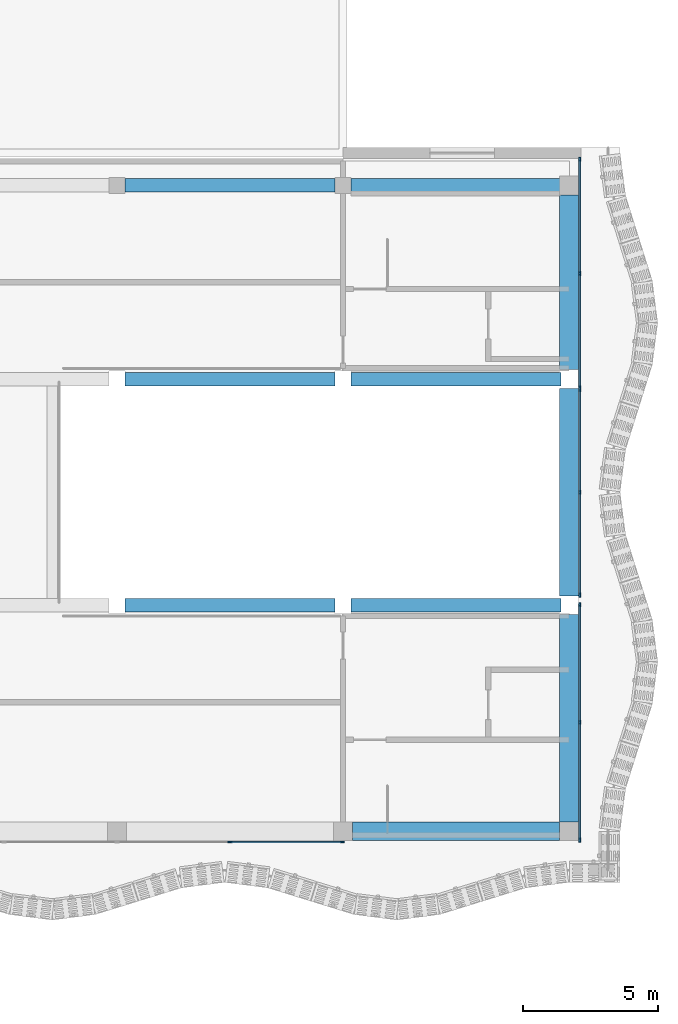
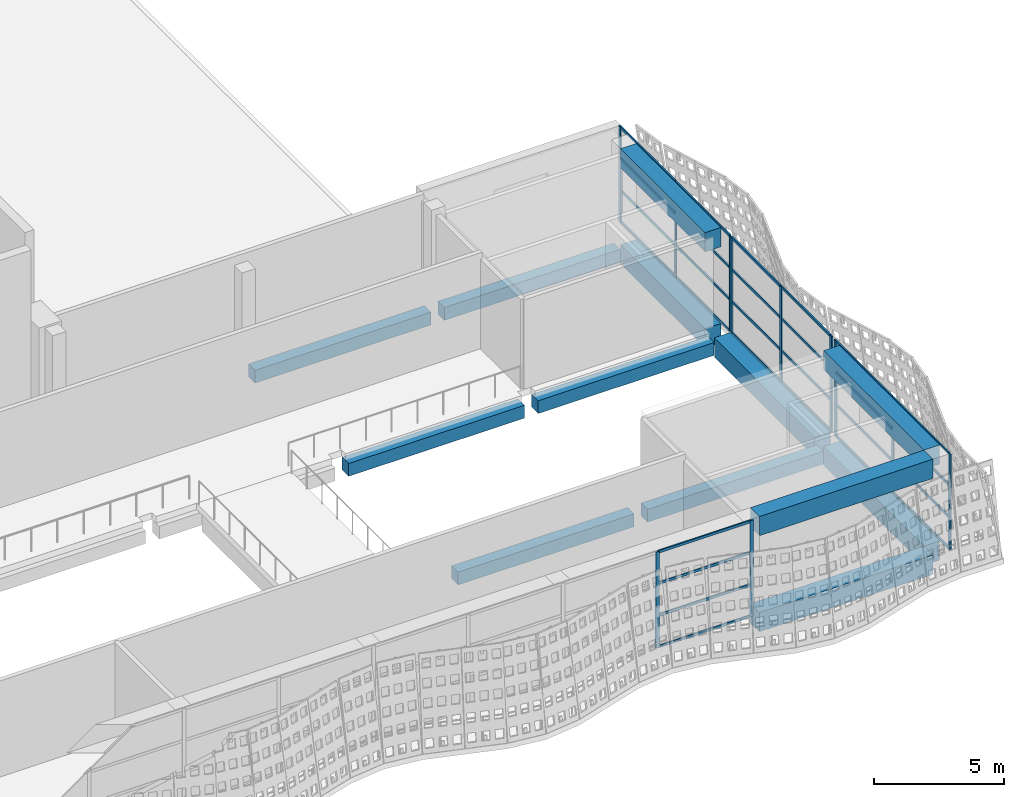
# One storey, part 57 of 162: 39 members, 13 beams, 4 elements without a shape of their own.
"""IFC4 building model written with IfcOpenShell, lengths in metres."""

from ifc_helpers import new_model, si_unit, direction, frame, origin, origin_2d, place, context, subcontext, project, spatial, rectangle, extrude, material, layer, layer_set, material_profile, profile_set, type_object, element, aggregate, save


model = new_model("IFC4")

# Units and contexts
model_context = context("Model", 3, precision=1e-05, world=origin(), true_north=direction((0.0, 1.0)))
body_context = subcontext(model_context, "Body", "Model", "MODEL_VIEW")
ifc_project = project(units=[si_unit("LENGTHUNIT", "METRE"), si_unit("AREAUNIT", "SQUARE_METRE"), si_unit("VOLUMEUNIT", "CUBIC_METRE"), si_unit("PLANEANGLEUNIT", "RADIAN"), si_unit("MASSUNIT", "GRAM", prefix="KILO")], contexts=[model_context])

# Site, building, storey
site_placement = place(None, origin())
site = spatial("IfcSite", under=ifc_project, at=site_placement, CompositionType="ELEMENT")
building_placement = place(site_placement, origin())
building = spatial("IfcBuilding", under=site, at=building_placement, Name="Rain Tree Exposition and Congress Centre", CompositionType="ELEMENT")
storey_placement = place(building_placement, frame((0.0, 0.0, 6.0)))
storey = spatial("IfcBuildingStorey", under=building, at=storey_placement, Name="L01", CompositionType="ELEMENT", Elevation=6.0)

# Curtain wall, members
ifc_material_1 = material(Name="Aluminium curtain wall system", Category="aluminium")
ifc_layer = layer(ifc_material_1, 0.10009765625)
ifc_layer_set = layer_set([ifc_layer], Name="Aluminium curtain wall system")
curtain_wall_type = type_object("IfcCurtainWallType", Name="Concourse curtain wall 4200 module", PredefinedType="NOTDEFINED", material=ifc_layer_set)
curtain_wall_1_placement = place(storey_placement, origin())
curtain_wall_1 = element("IfcCurtainWall", 1, at=curtain_wall_1_placement, inside=storey, type_object=curtain_wall_type, Name="Concourse curtain wall CWC28", PredefinedType="NOTDEFINED")
ifc_material_2 = material(Name="Aluminium mullion", Category="aluminium")
ifc_material_profile_1 = material_profile(ifc_material_2, rectangle(XDim=0.06005859375, YDim=0.159912109375, at=origin_2d()), Name="AL 60x160")
ifc_profile_set_1 = profile_set([ifc_material_profile_1], Name="Aluminium mullion")
member_type_1 = type_object("IfcMemberType", Name="Concourse curtain wall mullion 60x160", PredefinedType="MULLION", material=ifc_profile_set_1)
member_1_placement = place(storey_placement, frame((256.199951171875, 75.199951171875, 0.0), z_axis=(0.0, 0.0, 1.0), x_axis=(0.0, 1.0, 0.0)))
member_1 = element("IfcMember", 2, at=member_1_placement, type_object=member_type_1, Name="CWC28 mullion 10", PredefinedType="MULLION", context=body_context, shape_type="SweptSolid", body=[
    extrude(rectangle(XDim=0.06005859375, YDim=0.159912109375, at=origin_2d()), origin(), (0.0, 0.0, 1.0), 4.5),
])
member_2_placement = place(storey_placement, frame((260.3701171875, 75.199951171875, 0.0), z_axis=(0.0, 0.0, 1.0), x_axis=(0.0, 1.0, 0.0)))
member_2 = element("IfcMember", 3, at=member_2_placement, type_object=member_type_1, Name="CWC28 mullion 11", PredefinedType="MULLION", context=body_context, shape_type="SweptSolid", body=[
    extrude(rectangle(XDim=0.06005859375, YDim=0.159912109375, at=origin_2d()), origin(), (0.0, 0.0, 1.0), 4.5),
])

curtain_wall_2_placement = place(storey_placement, origin())
curtain_wall_2 = element("IfcCurtainWall", 4, at=curtain_wall_2_placement, inside=storey, type_object=curtain_wall_type, Name="Concourse curtain wall CWC38", PredefinedType="NOTDEFINED")
member_3_placement = place(storey_placement, frame((269.199951171875, 75.280029296875, 0.0), z_axis=(0.0, 0.0, 1.0), x_axis=(-1.0, 0.0, 0.0)))
member_3 = element("IfcMember", 5, at=member_3_placement, type_object=member_type_1, Name="CWC38 mullion 1", PredefinedType="MULLION", context=body_context, shape_type="SweptSolid", body=[
    extrude(rectangle(XDim=0.06005859375, YDim=0.159912109375, at=origin_2d()), origin(), (0.0, 0.0, 1.0), 4.5),
])
member_4_placement = place(storey_placement, frame((269.199951171875, 79.64990234375, 0.0), z_axis=(0.0, 0.0, 1.0), x_axis=(-1.0, 0.0, 0.0)))
member_4 = element("IfcMember", 6, at=member_4_placement, type_object=member_type_1, Name="CWC38 mullion 2", PredefinedType="MULLION", context=body_context, shape_type="SweptSolid", body=[
    extrude(rectangle(XDim=0.06005859375, YDim=0.159912109375, at=origin_2d()), origin(), (0.0, 0.0, 1.0), 4.5),
])
member_5_placement = place(storey_placement, frame((269.199951171875, 84.02001953125, 0.0), z_axis=(0.0, 0.0, 1.0), x_axis=(-1.0, 0.0, 0.0)))
member_5 = element("IfcMember", 7, at=member_5_placement, type_object=member_type_1, Name="CWC38 mullion 3", PredefinedType="MULLION", context=body_context, shape_type="SweptSolid", body=[
    extrude(rectangle(XDim=0.06005859375, YDim=0.159912109375, at=origin_2d()), origin(), (0.0, 0.0, 1.0), 4.5),
])

curtain_wall_3_placement = place(storey_placement, origin())
curtain_wall_3 = element("IfcCurtainWall", 8, at=curtain_wall_3_placement, inside=storey, type_object=curtain_wall_type, Name="Concourse curtain wall CWC39", PredefinedType="NOTDEFINED")
member_6_placement = place(storey_placement, frame((269.199951171875, 84.3798828125, 0.0), z_axis=(0.0, 0.0, 1.0), x_axis=(-1.0, 0.0, 0.0)))
member_6 = element("IfcMember", 9, at=member_6_placement, type_object=member_type_1, Name="CWC39 mullion 1", PredefinedType="MULLION", context=body_context, shape_type="SweptSolid", body=[
    extrude(rectangle(XDim=0.06005859375, YDim=0.159912109375, at=origin_2d()), origin(), (0.0, 0.0, 1.0), 4.5),
])
member_7_placement = place(storey_placement, frame((269.199951171875, 88.199951171875, 0.0), z_axis=(0.0, 0.0, 1.0), x_axis=(-1.0, 0.0, 0.0)))
member_7 = element("IfcMember", 10, at=member_7_placement, type_object=member_type_1, Name="CWC39 mullion 2", PredefinedType="MULLION", context=body_context, shape_type="SweptSolid", body=[
    extrude(rectangle(XDim=0.06005859375, YDim=0.159912109375, at=origin_2d()), origin(), (0.0, 0.0, 1.0), 4.5),
])
member_8_placement = place(storey_placement, frame((269.199951171875, 92.02001953125, 0.0), z_axis=(0.0, 0.0, 1.0), x_axis=(-1.0, 0.0, 0.0)))
member_8 = element("IfcMember", 11, at=member_8_placement, type_object=member_type_1, Name="CWC39 mullion 3", PredefinedType="MULLION", context=body_context, shape_type="SweptSolid", body=[
    extrude(rectangle(XDim=0.06005859375, YDim=0.159912109375, at=origin_2d()), origin(), (0.0, 0.0, 1.0), 4.5),
])

curtain_wall_4_placement = place(storey_placement, origin())
curtain_wall_4 = element("IfcCurtainWall", 12, at=curtain_wall_4_placement, inside=storey, type_object=curtain_wall_type, Name="Concourse curtain wall CWC40", PredefinedType="NOTDEFINED")
member_9_placement = place(storey_placement, frame((269.199951171875, 92.080078125, 0.0), z_axis=(0.0, 0.0, 1.0), x_axis=(-1.0, 0.0, 0.0)))
member_9 = element("IfcMember", 13, at=member_9_placement, type_object=member_type_1, Name="CWC40 mullion 1", PredefinedType="MULLION", context=body_context, shape_type="SweptSolid", body=[
    extrude(rectangle(XDim=0.06005859375, YDim=0.159912109375, at=origin_2d()), origin(), (0.0, 0.0, 1.0), 4.5),
])
member_10_placement = place(storey_placement, frame((269.199951171875, 96.324951171875, 0.0), z_axis=(0.0, 0.0, 1.0), x_axis=(-1.0, 0.0, 0.0)))
member_10 = element("IfcMember", 14, at=member_10_placement, type_object=member_type_1, Name="CWC40 mullion 2", PredefinedType="MULLION", context=body_context, shape_type="SweptSolid", body=[
    extrude(rectangle(XDim=0.06005859375, YDim=0.159912109375, at=origin_2d()), origin(), (0.0, 0.0, 1.0), 4.5),
])
member_11_placement = place(storey_placement, frame((269.199951171875, 100.570068359375, 0.0), z_axis=(0.0, 0.0, 1.0), x_axis=(-1.0, 0.0, 0.0)))
member_11 = element("IfcMember", 15, at=member_11_placement, type_object=member_type_1, Name="CWC40 mullion 3", PredefinedType="MULLION", context=body_context, shape_type="SweptSolid", body=[
    extrude(rectangle(XDim=0.06005859375, YDim=0.159912109375, at=origin_2d()), origin(), (0.0, 0.0, 1.0), 4.5),
])

# Member
ifc_material_3 = material(Name="Aluminium transom", Category="aluminium")
ifc_material_profile_2 = material_profile(ifc_material_3, rectangle(XDim=0.06005859375, YDim=0.1201171875, at=origin_2d()), Name="AL 60x120")
ifc_profile_set_2 = profile_set([ifc_material_profile_2], Name="Aluminium transom")
member_type_2 = type_object("IfcMemberType", Name="Concourse curtain wall transom 60x120", PredefinedType="USERDEFINED", material=ifc_profile_set_2)
member_12_placement = place(storey_placement, frame((256.22998046875, 75.199951171875, 0.030029296875), z_axis=(1.0, 0.0, 0.0), x_axis=(0.0, 1.0, 0.0)))
member_12 = element("IfcMember", 16, at=member_12_placement, type_object=member_type_2, Name="CWC28 transom 10.1", ObjectType="TRANSOM", PredefinedType="USERDEFINED", context=body_context, shape_type="SweptSolid", body=[
    extrude(rectangle(XDim=0.06005859375, YDim=0.1201171875, at=origin_2d()), origin(), (0.0, 0.0, 1.0), 4.110107421875),
])

member_13_placement = place(storey_placement, frame((256.22998046875, 75.199951171875, 1.5), z_axis=(1.0, 0.0, 0.0), x_axis=(0.0, 1.0, 0.0)))
member_13 = element("IfcMember", 17, at=member_13_placement, type_object=member_type_2, Name="CWC28 transom 10.2", ObjectType="TRANSOM", PredefinedType="USERDEFINED", context=body_context, shape_type="SweptSolid", body=[
    extrude(rectangle(XDim=0.06005859375, YDim=0.1201171875, at=origin_2d()), origin(), (0.0, 0.0, 1.0), 4.110107421875),
])

member_14_placement = place(storey_placement, frame((256.22998046875, 75.199951171875, 3.0), z_axis=(1.0, 0.0, 0.0), x_axis=(0.0, 1.0, 0.0)))
member_14 = element("IfcMember", 18, at=member_14_placement, type_object=member_type_2, Name="CWC28 transom 10.3", ObjectType="TRANSOM", PredefinedType="USERDEFINED", context=body_context, shape_type="SweptSolid", body=[
    extrude(rectangle(XDim=0.06005859375, YDim=0.1201171875, at=origin_2d()), origin(), (0.0, 0.0, 1.0), 4.110107421875),
])

member_15_placement = place(storey_placement, frame((256.22998046875, 75.199951171875, 4.469970703125), z_axis=(1.0, 0.0, 0.0), x_axis=(0.0, 1.0, 0.0)))
member_15 = element("IfcMember", 19, at=member_15_placement, type_object=member_type_2, Name="CWC28 transom 10.4", ObjectType="TRANSOM", PredefinedType="USERDEFINED", context=body_context, shape_type="SweptSolid", body=[
    extrude(rectangle(XDim=0.06005859375, YDim=0.1201171875, at=origin_2d()), origin(), (0.0, 0.0, 1.0), 4.110107421875),
])

aggregate(curtain_wall_1, [member_1, member_2, member_12, member_13, member_14, member_15])

member_16_placement = place(storey_placement, frame((269.199951171875, 75.31005859375, 0.030029296875), z_axis=(0.0, 1.0, 0.0), x_axis=(-1.0, 0.0, 0.0)))
member_16 = element("IfcMember", 20, at=member_16_placement, type_object=member_type_2, Name="CWC38 transom 1.1", ObjectType="TRANSOM", PredefinedType="USERDEFINED", context=body_context, shape_type="SweptSolid", body=[
    extrude(rectangle(XDim=0.06005859375, YDim=0.1201171875, at=origin_2d()), origin(), (0.0, 0.0, 1.0), 4.31005859375),
])

member_17_placement = place(storey_placement, frame((269.199951171875, 75.31005859375, 1.5), z_axis=(0.0, 1.0, 0.0), x_axis=(-1.0, 0.0, 0.0)))
member_17 = element("IfcMember", 21, at=member_17_placement, type_object=member_type_2, Name="CWC38 transom 1.2", ObjectType="TRANSOM", PredefinedType="USERDEFINED", context=body_context, shape_type="SweptSolid", body=[
    extrude(rectangle(XDim=0.06005859375, YDim=0.1201171875, at=origin_2d()), origin(), (0.0, 0.0, 1.0), 4.31005859375),
])

member_18_placement = place(storey_placement, frame((269.199951171875, 75.31005859375, 3.0), z_axis=(0.0, 1.0, 0.0), x_axis=(-1.0, 0.0, 0.0)))
member_18 = element("IfcMember", 22, at=member_18_placement, type_object=member_type_2, Name="CWC38 transom 1.3", ObjectType="TRANSOM", PredefinedType="USERDEFINED", context=body_context, shape_type="SweptSolid", body=[
    extrude(rectangle(XDim=0.06005859375, YDim=0.1201171875, at=origin_2d()), origin(), (0.0, 0.0, 1.0), 4.31005859375),
])

member_19_placement = place(storey_placement, frame((269.199951171875, 75.31005859375, 4.469970703125), z_axis=(0.0, 1.0, 0.0), x_axis=(-1.0, 0.0, 0.0)))
member_19 = element("IfcMember", 23, at=member_19_placement, type_object=member_type_2, Name="CWC38 transom 1.4", ObjectType="TRANSOM", PredefinedType="USERDEFINED", context=body_context, shape_type="SweptSolid", body=[
    extrude(rectangle(XDim=0.06005859375, YDim=0.1201171875, at=origin_2d()), origin(), (0.0, 0.0, 1.0), 4.31005859375),
])

member_20_placement = place(storey_placement, frame((269.199951171875, 79.679931640625, 0.030029296875), z_axis=(0.0, 1.0, 0.0), x_axis=(-1.0, 0.0, 0.0)))
member_20 = element("IfcMember", 24, at=member_20_placement, type_object=member_type_2, Name="CWC38 transom 2.1", ObjectType="TRANSOM", PredefinedType="USERDEFINED", context=body_context, shape_type="SweptSolid", body=[
    extrude(rectangle(XDim=0.06005859375, YDim=0.1201171875, at=origin_2d()), origin(), (0.0, 0.0, 1.0), 4.31005859375),
])

member_21_placement = place(storey_placement, frame((269.199951171875, 79.679931640625, 1.5), z_axis=(0.0, 1.0, 0.0), x_axis=(-1.0, 0.0, 0.0)))
member_21 = element("IfcMember", 25, at=member_21_placement, type_object=member_type_2, Name="CWC38 transom 2.2", ObjectType="TRANSOM", PredefinedType="USERDEFINED", context=body_context, shape_type="SweptSolid", body=[
    extrude(rectangle(XDim=0.06005859375, YDim=0.1201171875, at=origin_2d()), origin(), (0.0, 0.0, 1.0), 4.31005859375),
])

member_22_placement = place(storey_placement, frame((269.199951171875, 79.679931640625, 3.0), z_axis=(0.0, 1.0, 0.0), x_axis=(-1.0, 0.0, 0.0)))
member_22 = element("IfcMember", 26, at=member_22_placement, type_object=member_type_2, Name="CWC38 transom 2.3", ObjectType="TRANSOM", PredefinedType="USERDEFINED", context=body_context, shape_type="SweptSolid", body=[
    extrude(rectangle(XDim=0.06005859375, YDim=0.1201171875, at=origin_2d()), origin(), (0.0, 0.0, 1.0), 4.31005859375),
])

member_23_placement = place(storey_placement, frame((269.199951171875, 79.679931640625, 4.469970703125), z_axis=(0.0, 1.0, 0.0), x_axis=(-1.0, 0.0, 0.0)))
member_23 = element("IfcMember", 27, at=member_23_placement, type_object=member_type_2, Name="CWC38 transom 2.4", ObjectType="TRANSOM", PredefinedType="USERDEFINED", context=body_context, shape_type="SweptSolid", body=[
    extrude(rectangle(XDim=0.06005859375, YDim=0.1201171875, at=origin_2d()), origin(), (0.0, 0.0, 1.0), 4.31005859375),
])

aggregate(curtain_wall_2, [member_3, member_4, member_5, member_16, member_17, member_18, member_19, member_20, member_21, member_22, member_23])

member_24_placement = place(storey_placement, frame((269.199951171875, 84.409912109375, 0.030029296875), z_axis=(0.0, 1.0, 0.0), x_axis=(-1.0, 0.0, 0.0)))
member_24 = element("IfcMember", 28, at=member_24_placement, type_object=member_type_2, Name="CWC39 transom 1.1", ObjectType="TRANSOM", PredefinedType="USERDEFINED", context=body_context, shape_type="SweptSolid", body=[
    extrude(rectangle(XDim=0.06005859375, YDim=0.1201171875, at=origin_2d()), origin(), (0.0, 0.0, 1.0), 3.760009765625),
])

member_25_placement = place(storey_placement, frame((269.199951171875, 84.409912109375, 1.5), z_axis=(0.0, 1.0, 0.0), x_axis=(-1.0, 0.0, 0.0)))
member_25 = element("IfcMember", 29, at=member_25_placement, type_object=member_type_2, Name="CWC39 transom 1.2", ObjectType="TRANSOM", PredefinedType="USERDEFINED", context=body_context, shape_type="SweptSolid", body=[
    extrude(rectangle(XDim=0.06005859375, YDim=0.1201171875, at=origin_2d()), origin(), (0.0, 0.0, 1.0), 3.760009765625),
])

member_26_placement = place(storey_placement, frame((269.199951171875, 84.409912109375, 3.0), z_axis=(0.0, 1.0, 0.0), x_axis=(-1.0, 0.0, 0.0)))
member_26 = element("IfcMember", 30, at=member_26_placement, type_object=member_type_2, Name="CWC39 transom 1.3", ObjectType="TRANSOM", PredefinedType="USERDEFINED", context=body_context, shape_type="SweptSolid", body=[
    extrude(rectangle(XDim=0.06005859375, YDim=0.1201171875, at=origin_2d()), origin(), (0.0, 0.0, 1.0), 3.760009765625),
])

member_27_placement = place(storey_placement, frame((269.199951171875, 84.409912109375, 4.469970703125), z_axis=(0.0, 1.0, 0.0), x_axis=(-1.0, 0.0, 0.0)))
member_27 = element("IfcMember", 31, at=member_27_placement, type_object=member_type_2, Name="CWC39 transom 1.4", ObjectType="TRANSOM", PredefinedType="USERDEFINED", context=body_context, shape_type="SweptSolid", body=[
    extrude(rectangle(XDim=0.06005859375, YDim=0.1201171875, at=origin_2d()), origin(), (0.0, 0.0, 1.0), 3.760009765625),
])

member_28_placement = place(storey_placement, frame((269.199951171875, 88.22998046875, 0.030029296875), z_axis=(0.0, 1.0, 0.0), x_axis=(-1.0, 0.0, 0.0)))
member_28 = element("IfcMember", 32, at=member_28_placement, type_object=member_type_2, Name="CWC39 transom 2.1", ObjectType="TRANSOM", PredefinedType="USERDEFINED", context=body_context, shape_type="SweptSolid", body=[
    extrude(rectangle(XDim=0.06005859375, YDim=0.1201171875, at=origin_2d()), origin(), (0.0, 0.0, 1.0), 3.760009765625),
])

member_29_placement = place(storey_placement, frame((269.199951171875, 88.22998046875, 1.5), z_axis=(0.0, 1.0, 0.0), x_axis=(-1.0, 0.0, 0.0)))
member_29 = element("IfcMember", 33, at=member_29_placement, type_object=member_type_2, Name="CWC39 transom 2.2", ObjectType="TRANSOM", PredefinedType="USERDEFINED", context=body_context, shape_type="SweptSolid", body=[
    extrude(rectangle(XDim=0.06005859375, YDim=0.1201171875, at=origin_2d()), origin(), (0.0, 0.0, 1.0), 3.760009765625),
])

member_30_placement = place(storey_placement, frame((269.199951171875, 88.22998046875, 3.0), z_axis=(0.0, 1.0, 0.0), x_axis=(-1.0, 0.0, 0.0)))
member_30 = element("IfcMember", 34, at=member_30_placement, type_object=member_type_2, Name="CWC39 transom 2.3", ObjectType="TRANSOM", PredefinedType="USERDEFINED", context=body_context, shape_type="SweptSolid", body=[
    extrude(rectangle(XDim=0.06005859375, YDim=0.1201171875, at=origin_2d()), origin(), (0.0, 0.0, 1.0), 3.760009765625),
])

member_31_placement = place(storey_placement, frame((269.199951171875, 88.22998046875, 4.469970703125), z_axis=(0.0, 1.0, 0.0), x_axis=(-1.0, 0.0, 0.0)))
member_31 = element("IfcMember", 35, at=member_31_placement, type_object=member_type_2, Name="CWC39 transom 2.4", ObjectType="TRANSOM", PredefinedType="USERDEFINED", context=body_context, shape_type="SweptSolid", body=[
    extrude(rectangle(XDim=0.06005859375, YDim=0.1201171875, at=origin_2d()), origin(), (0.0, 0.0, 1.0), 3.760009765625),
])

aggregate(curtain_wall_3, [member_6, member_7, member_8, member_24, member_25, member_26, member_27, member_28, member_29, member_30, member_31])

member_32_placement = place(storey_placement, frame((269.199951171875, 92.110107421875, 0.030029296875), z_axis=(0.0, 1.0, 0.0), x_axis=(-1.0, 0.0, 0.0)))
member_32 = element("IfcMember", 36, at=member_32_placement, type_object=member_type_2, Name="CWC40 transom 1.1", ObjectType="TRANSOM", PredefinedType="USERDEFINED", context=body_context, shape_type="SweptSolid", body=[
    extrude(rectangle(XDim=0.06005859375, YDim=0.1201171875, at=origin_2d()), origin(), (0.0, 0.0, 1.0), 4.184814453125),
])

member_33_placement = place(storey_placement, frame((269.199951171875, 92.110107421875, 1.5), z_axis=(0.0, 1.0, 0.0), x_axis=(-1.0, 0.0, 0.0)))
member_33 = element("IfcMember", 37, at=member_33_placement, type_object=member_type_2, Name="CWC40 transom 1.2", ObjectType="TRANSOM", PredefinedType="USERDEFINED", context=body_context, shape_type="SweptSolid", body=[
    extrude(rectangle(XDim=0.06005859375, YDim=0.1201171875, at=origin_2d()), origin(), (0.0, 0.0, 1.0), 4.184814453125),
])

member_34_placement = place(storey_placement, frame((269.199951171875, 92.110107421875, 3.0), z_axis=(0.0, 1.0, 0.0), x_axis=(-1.0, 0.0, 0.0)))
member_34 = element("IfcMember", 38, at=member_34_placement, type_object=member_type_2, Name="CWC40 transom 1.3", ObjectType="TRANSOM", PredefinedType="USERDEFINED", context=body_context, shape_type="SweptSolid", body=[
    extrude(rectangle(XDim=0.06005859375, YDim=0.1201171875, at=origin_2d()), origin(), (0.0, 0.0, 1.0), 4.184814453125),
])

member_35_placement = place(storey_placement, frame((269.199951171875, 92.110107421875, 4.469970703125), z_axis=(0.0, 1.0, 0.0), x_axis=(-1.0, 0.0, 0.0)))
member_35 = element("IfcMember", 39, at=member_35_placement, type_object=member_type_2, Name="CWC40 transom 1.4", ObjectType="TRANSOM", PredefinedType="USERDEFINED", context=body_context, shape_type="SweptSolid", body=[
    extrude(rectangle(XDim=0.06005859375, YDim=0.1201171875, at=origin_2d()), origin(), (0.0, 0.0, 1.0), 4.184814453125),
])

member_36_placement = place(storey_placement, frame((269.199951171875, 96.35498046875, 0.030029296875), z_axis=(0.0, 1.0, 0.0), x_axis=(-1.0, 0.0, 0.0)))
member_36 = element("IfcMember", 40, at=member_36_placement, type_object=member_type_2, Name="CWC40 transom 2.1", ObjectType="TRANSOM", PredefinedType="USERDEFINED", context=body_context, shape_type="SweptSolid", body=[
    extrude(rectangle(XDim=0.06005859375, YDim=0.1201171875, at=origin_2d()), origin(), (0.0, 0.0, 1.0), 4.18505859375),
])

member_37_placement = place(storey_placement, frame((269.199951171875, 96.35498046875, 1.5), z_axis=(0.0, 1.0, 0.0), x_axis=(-1.0, 0.0, 0.0)))
member_37 = element("IfcMember", 41, at=member_37_placement, type_object=member_type_2, Name="CWC40 transom 2.2", ObjectType="TRANSOM", PredefinedType="USERDEFINED", context=body_context, shape_type="SweptSolid", body=[
    extrude(rectangle(XDim=0.06005859375, YDim=0.1201171875, at=origin_2d()), origin(), (0.0, 0.0, 1.0), 4.18505859375),
])

member_38_placement = place(storey_placement, frame((269.199951171875, 96.35498046875, 3.0), z_axis=(0.0, 1.0, 0.0), x_axis=(-1.0, 0.0, 0.0)))
member_38 = element("IfcMember", 42, at=member_38_placement, type_object=member_type_2, Name="CWC40 transom 2.3", ObjectType="TRANSOM", PredefinedType="USERDEFINED", context=body_context, shape_type="SweptSolid", body=[
    extrude(rectangle(XDim=0.06005859375, YDim=0.1201171875, at=origin_2d()), origin(), (0.0, 0.0, 1.0), 4.18505859375),
])

member_39_placement = place(storey_placement, frame((269.199951171875, 96.35498046875, 4.469970703125), z_axis=(0.0, 1.0, 0.0), x_axis=(-1.0, 0.0, 0.0)))
member_39 = element("IfcMember", 43, at=member_39_placement, type_object=member_type_2, Name="CWC40 transom 2.4", ObjectType="TRANSOM", PredefinedType="USERDEFINED", context=body_context, shape_type="SweptSolid", body=[
    extrude(rectangle(XDim=0.06005859375, YDim=0.1201171875, at=origin_2d()), origin(), (0.0, 0.0, 1.0), 4.18505859375),
])

aggregate(curtain_wall_4, [member_9, member_10, member_11, member_32, member_33, member_34, member_35, member_36, member_37, member_38, member_39])

# Beams
ifc_material_4 = material(Name="Precast concrete C50/60", Category="concrete")
ifc_material_profile_3 = material_profile(ifc_material_4, rectangle(XDim=0.5, YDim=0.60009765625, at=origin_2d()), Name="RC 500x600")
ifc_profile_set_3 = profile_set([ifc_material_profile_3], Name="Precast concrete C50/60")
beam_type_1 = type_object("IfcBeamType", Name="Precast beam 500x600", PredefinedType="BEAM", material=ifc_profile_set_3)
for number, where, z_axis, x_axis, name in (
    (44, (252.300048828125, 84.0, -0.60009765625), (1.0, 0.0, 0.0), (0.0, 1.0, 0.0), "Concourse floor beam 63"),
    (45, (260.699951171875, 84.0, -0.60009765625), (1.0, 0.0, 0.0), (0.0, 1.0, 0.0), "Concourse floor beam 64"),
    (46, (252.300048828125, 92.39990234375, -0.60009765625), (1.0, 0.0, 0.0), (0.0, 1.0, 0.0), "Concourse floor beam 95"),
    (47, (260.699951171875, 92.39990234375, -0.60009765625), (1.0, 0.0, 0.0), (0.0, 1.0, 0.0), "Concourse floor beam 96"),
    (48, (252.300048828125, 99.60009765625, -0.60009765625), (1.0, 0.0, 0.0), (0.0, 1.0, 0.0), "Concourse floor beam 127"),
    (49, (260.699951171875, 99.60009765625, -0.60009765625), (1.0, 0.0, 0.0), (0.0, 1.0, 0.0), "Concourse floor beam 128"),
):
    element("IfcBeam", number, at=place(storey_placement, frame(where, z_axis=z_axis, x_axis=x_axis)), inside=storey, type_object=beam_type_1, Name=name, PredefinedType="BEAM", context=body_context, shape_type="SweptSolid", body=[
        extrude(rectangle(XDim=0.5, YDim=0.60009765625, at=origin_2d()), origin(), (0.0, 0.0, 1.0), 7.800048828125),
    ])
ifc_material_5 = material(Name="Precast concrete C50/60", Category="concrete")
ifc_material_profile_4 = material_profile(ifc_material_5, rectangle(XDim=0.699951171875, YDim=0.89990234375, at=origin_2d()), Name="RC 700x900")
ifc_profile_set_4 = profile_set([ifc_material_profile_4], Name="Precast concrete C50/60")
beam_type_2 = type_object("IfcBeamType", Name="Precast beam 700x900", PredefinedType="BEAM", material=ifc_profile_set_4)
for number, where, z_axis, x_axis, name in (
    (50, (260.75, 75.60009765625, -0.449951171875), (1.0, 0.0, 0.0), (0.0, 1.0, 0.0), "Concourse edge beam 32"),
    (51, (268.800048828125, 75.949951171875, -0.449951171875), (0.0, 1.0, 0.0), (-1.0, 0.0, 0.0), "Concourse edge beam 132"),
    (52, (268.800048828125, 84.35009765625, -0.449951171875), (0.0, 1.0, 0.0), (-1.0, 0.0, 0.0), "Concourse edge beam 133"),
):
    element("IfcBeam", number, at=place(storey_placement, frame(where, z_axis=z_axis, x_axis=x_axis)), inside=storey, type_object=beam_type_2, Name=name, PredefinedType="BEAM", context=body_context, shape_type="SweptSolid", body=[
        extrude(rectangle(XDim=0.699951171875, YDim=0.89990234375, at=origin_2d()), origin(), (0.0, 0.0, 1.0), 7.699951171875),
    ])
beam_1_placement = place(storey_placement, frame((268.800048828125, 92.75, -0.449951171875), z_axis=(0.0, 1.0, 0.0), x_axis=(-1.0, 0.0, 0.0)))
element("IfcBeam", 53, at=beam_1_placement, inside=storey, type_object=beam_type_2, Name="Concourse edge beam 134", PredefinedType="BEAM", context=body_context, shape_type="SweptSolid", body=[
    extrude(rectangle(XDim=0.699951171875, YDim=0.89990234375, at=origin_2d()), origin(), (0.0, 0.0, 1.0), 6.5),
])
for number, where, z_axis, x_axis, name in (
    (54, (260.75, 75.60009765625, 4.050048828125), (1.0, 0.0, 0.0), (0.0, 1.0, 0.0), "Concourse roof edge beam 32"),
    (55, (268.800048828125, 75.949951171875, 4.050048828125), (0.0, 1.0, 0.0), (-1.0, 0.0, 0.0), "Concourse roof edge beam 35"),
):
    element("IfcBeam", number, at=place(storey_placement, frame(where, z_axis=z_axis, x_axis=x_axis)), inside=storey, type_object=beam_type_2, Name=name, PredefinedType="BEAM", context=body_context, shape_type="SweptSolid", body=[
        extrude(rectangle(XDim=0.699951171875, YDim=0.89990234375, at=origin_2d()), origin(), (0.0, 0.0, 1.0), 7.699951171875),
    ])
beam_2_placement = place(storey_placement, frame((268.800048828125, 92.75, 4.050048828125), z_axis=(0.0, 1.0, 0.0), x_axis=(-1.0, 0.0, 0.0)))
element("IfcBeam", 56, at=beam_2_placement, inside=storey, type_object=beam_type_2, Name="Concourse roof edge beam 36", PredefinedType="BEAM", context=body_context, shape_type="SweptSolid", body=[
    extrude(rectangle(XDim=0.699951171875, YDim=0.89990234375, at=origin_2d()), origin(), (0.0, 0.0, 1.0), 6.5),
])

save(model, "model.ifc")
